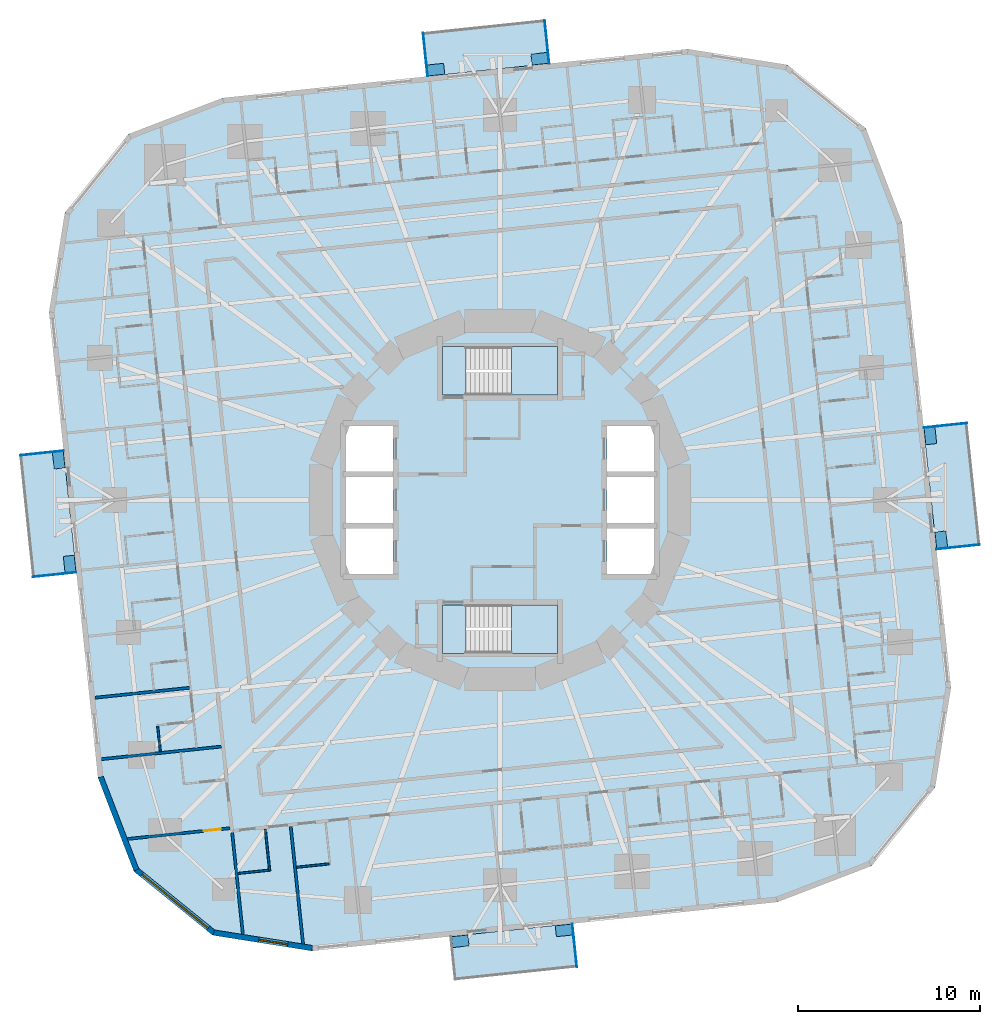
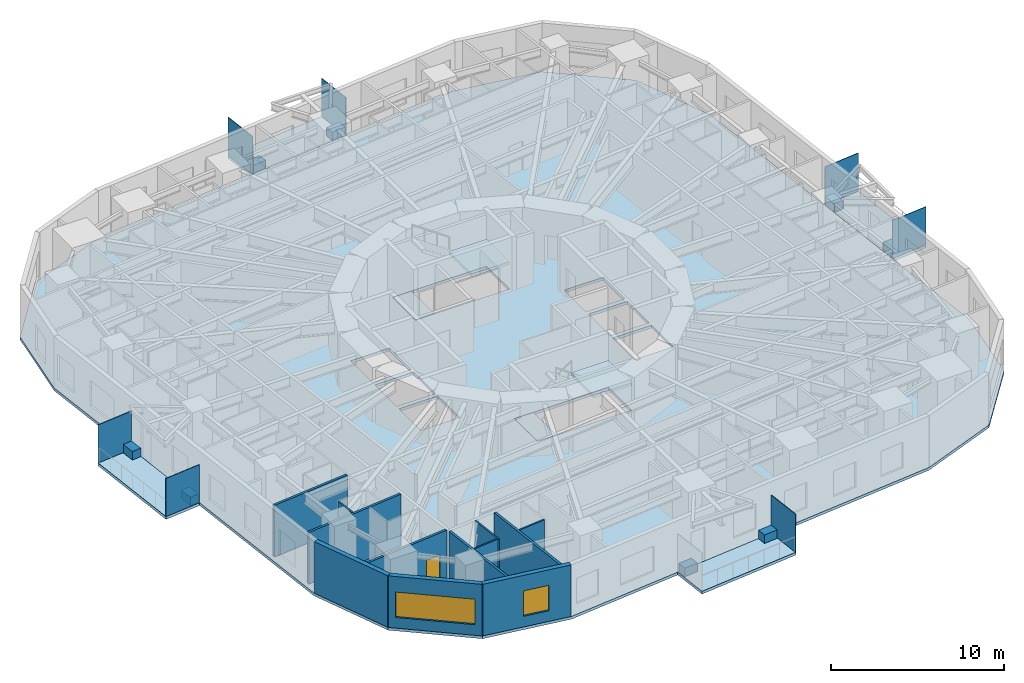
# One storey, part 4 of 15: 15 plates, 12 walls, 9 slabs, 2 windows, 1 door, 3 openings, 2 elements without a shape of their own.
"""IFC4 building model written with IfcOpenShell, lengths in metres."""

import ifcopenshell
import ifcopenshell.guid

model = None  # the IFC model being written
_history = None  # IfcOwnerHistory: only IFC2X3 demands one
_inside = {}  # id of a spatial element -> (the spatial element, [elements in it])
_under = {}  # id of a project, library or spatial element -> (it, [spatial elements below it])
_declared = {}  # id of a project -> (the project, [libraries it declares])
_typed = {}  # id of a type object -> (the type object, [elements of that type])
_made_of = {}  # id of a material, layer set ... -> (it, [elements and type objects made of it])


def new_model(schema):
    """Start an empty IFC model of exactly this schema.

    Asked for "IFC4X3", IfcOpenShell would pick the latest addendum, in which some entities
    have other attributes; the version numbers below select the first issue.
    IFC2X3 requires an IfcOwnerHistory on every rooted entity: one is made here for all.
    """
    global model, _history
    if schema == "IFC4X3":
        model = ifcopenshell.file(schema_version=(4, 3, 0, 0))
    else:
        model = ifcopenshell.file(schema=schema)
    _inside.clear()
    _under.clear()
    _declared.clear()
    _typed.clear()
    _made_of.clear()
    _history = None
    if model.schema == "IFC2X3":
        org = make("IfcOrganization", Name="unknown")
        user = make(
            "IfcPersonAndOrganization",
            ThePerson=make("IfcPerson", FamilyName="unknown"),
            TheOrganization=org,
        )
        app = make(
            "IfcApplication",
            ApplicationDeveloper=org,
            Version="unknown",
            ApplicationFullName="unknown",
            ApplicationIdentifier="unknown",
        )
        _history = make(
            "IfcOwnerHistory",
            OwningUser=user,
            OwningApplication=app,
            ChangeAction="ADDED",
            CreationDate=0,
        )
    return model


def make(cls, **values):
    """One entity of the class cls with the attributes given. An attribute that is None is left unset."""
    return model.create_entity(
        cls, **{name: value for name, value in values.items() if value is not None}
    )


def rooted(cls, **values):
    """An entity with a GlobalId (a new one), such as an element, a storey or a relation."""
    return make(cls, GlobalId=ifcopenshell.guid.new(), OwnerHistory=_history, **values)


def si_unit(unit_type, name, prefix=None):
    """IfcSIUnit, for example si_unit("LENGTHUNIT", "METRE", prefix="MILLI")."""
    return make("IfcSIUnit", UnitType=unit_type, Prefix=prefix, Name=name)


def assignment(units):
    """IfcUnitAssignment: the units of a project."""
    return None if units is None else make("IfcUnitAssignment", Units=units)


def point(xyz):
    """IfcCartesianPoint."""
    return None if xyz is None else make("IfcCartesianPoint", Coordinates=xyz)


def direction(xyz):
    """IfcDirection."""
    return None if xyz is None else make("IfcDirection", DirectionRatios=xyz)


def frame(location, z_axis=None, x_axis=None):
    """IfcAxis2Placement3D, a coordinate frame: its origin and axes. An axis left out is left unset."""
    return make(
        "IfcAxis2Placement3D",
        Location=point(location),
        Axis=direction(z_axis),
        RefDirection=direction(x_axis),
    )


def frame_2d(location, x_axis=None):
    """IfcAxis2Placement2D, a coordinate frame in the plane: its origin and x axis."""
    return make(
        "IfcAxis2Placement2D", Location=point(location), RefDirection=direction(x_axis)
    )


def origin():
    """The frame at (0, 0, 0) with its axes left unset."""
    return frame((0.0, 0.0, 0.0))


def origin_2d():
    """The frame at (0, 0) in the plane with its x axis left unset."""
    return frame_2d((0.0, 0.0))


def place(relative_to, where):
    """IfcLocalPlacement: puts the frame where relative to a parent placement (None: the world)."""
    return make(
        "IfcLocalPlacement", PlacementRelTo=relative_to, RelativePlacement=where
    )


def context(
    kind, dimensions, precision=None, world=None, true_north=None, identifier=None
):
    """IfcGeometricRepresentationContext, for example the 3D "Model" context."""
    return make(
        "IfcGeometricRepresentationContext",
        ContextIdentifier=identifier,
        ContextType=kind,
        CoordinateSpaceDimension=dimensions,
        Precision=precision,
        WorldCoordinateSystem=world,
        TrueNorth=true_north,
    )


def subcontext(parent, identifier, kind, view, scale=None):
    """IfcGeometricRepresentationSubContext, for example "Body" below "Model"."""
    return make(
        "IfcGeometricRepresentationSubContext",
        ContextIdentifier=identifier,
        ContextType=kind,
        ParentContext=parent,
        TargetScale=scale,
        TargetView=view,
    )


def project(units=None, contexts=None):
    """IfcProject with its units and contexts."""
    return rooted(
        "IfcProject",
        Name="project",
        RepresentationContexts=contexts,
        UnitsInContext=assignment(units),
    )


def spatial(cls, under=None, at=None, **own):
    """A site, building, storey or space (cls), placed at a placement, below another one or the project."""
    s = rooted(cls, ObjectPlacement=at, **own)
    if under is not None:
        _under.setdefault(under.id(), (under, []))[1].append(s)
    return s


def polyline(points):
    """IfcPolyline through the points."""
    return make("IfcPolyline", Points=[point(p) for p in points])


def profile(cls, at=None, kind="AREA", **sizes):
    """A parametric profile (cls). Its sizes go by their IFC names, for example OverallWidth=200.0."""
    return make(cls, ProfileType=kind, Position=at, **sizes)


def rectangle(**sizes):
    """IfcRectangleProfileDef."""
    return profile("IfcRectangleProfileDef", **sizes)


def outline(outer, holes=None, kind="AREA"):
    """IfcArbitraryClosedProfileDef: a profile drawn as a closed curve; with holes, ...WithVoids."""
    if holes is None:
        return make("IfcArbitraryClosedProfileDef", ProfileType=kind, OuterCurve=outer)
    return make(
        "IfcArbitraryProfileDefWithVoids",
        ProfileType=kind,
        OuterCurve=outer,
        InnerCurves=holes,
    )


def extrude(swept, where, along, depth):
    """IfcExtrudedAreaSolid: the profile swept, set in the frame where, extruded along a direction by depth."""
    return make(
        "IfcExtrudedAreaSolid",
        SweptArea=swept,
        Position=where,
        ExtrudedDirection=direction(along),
        Depth=depth,
    )


def shape(context_of_items, identifier, shape_type, items):
    """IfcShapeRepresentation: the items that make up one representation, for example the "Body"."""
    return make(
        "IfcShapeRepresentation",
        ContextOfItems=context_of_items,
        RepresentationIdentifier=identifier,
        RepresentationType=shape_type,
        Items=items,
    )


def material(Name=None, Category=None):
    """IfcMaterial."""
    return make("IfcMaterial", Name=Name, Category=Category)


def layer(
    of_material, thickness, ventilated=None, Name=None, Category=None, Priority=None
):
    """IfcMaterialLayer: one layer of a wall or slab, of a material (None: an air gap)."""
    return make(
        "IfcMaterialLayer",
        Material=of_material,
        LayerThickness=thickness,
        IsVentilated=ventilated,
        Name=Name,
        Category=Category,
        Priority=Priority,
    )


def layer_set(layers, Name=None):
    """IfcMaterialLayerSet."""
    return make("IfcMaterialLayerSet", MaterialLayers=layers, LayerSetName=Name)


def made_of(thing, what):
    """Note that an element or type object is made of a material, layer set ...; save() writes the relation."""
    if what is not None:
        _made_of.setdefault(what.id(), (what, []))[1].append(thing)
    return thing


def type_object(cls, material=None, **own):
    """A type object (cls), such as IfcWallType, which elements share."""
    return made_of(rooted(cls, **own), material)


def element(
    cls,
    number,
    at=None,
    inside=None,
    cuts=None,
    type_object=None,
    material=None,
    context=None,
    identifier="Body",
    shape_type=None,
    held_by="IfcProductDefinitionShape",
    body=None,
    shapes=None,
    **own,
):
    """One element of the class cls, such as IfcWall. Its Tag is "e" and its number.

    at: its placement. inside: the storey or other place that contains it. cuts: it is an
    opening in that element (IfcRelVoidsElement). A single representation is given by context,
    identifier, shape_type and body (its items); several are given by shapes. held_by: the class
    of the entity that holds the representations. save() writes the other relations.
    """
    e = rooted(cls, Tag="e%d" % number, ObjectPlacement=at, **own)
    if body is not None:
        shapes = [shape(context, identifier, shape_type, body)]
    if shapes is not None:
        e.Representation = make(held_by, Representations=shapes)
    if inside is not None:
        _inside.setdefault(inside.id(), (inside, []))[1].append(e)
    if cuts is not None:
        rooted(
            "IfcRelVoidsElement", RelatingBuildingElement=cuts, RelatedOpeningElement=e
        )
    if type_object is not None:
        _typed.setdefault(type_object.id(), (type_object, []))[1].append(e)
    return made_of(e, material)


def fill(opening, filler):
    """IfcRelFillsElement: the door or window that sits in an opening."""
    return rooted(
        "IfcRelFillsElement",
        RelatingOpeningElement=opening,
        RelatedBuildingElement=filler,
    )


def aggregate(whole, parts):
    """IfcRelAggregates: a whole, such as a stair, and the parts it consists of."""
    return rooted("IfcRelAggregates", RelatingObject=whole, RelatedObjects=parts)


def save(model, path):
    """Write the relations noted so far, then the file.

    IfcRelAggregates (storeys below a building ...), IfcRelContainedInSpatialStructure (elements
    in a storey), IfcRelDefinesByType, IfcRelAssociatesMaterial and IfcRelDeclares: one each for
    every whole, place, type object, material and project.
    """
    for whole, parts in _under.values():
        aggregate(whole, parts)
    for where, things in _inside.values():
        rooted(
            "IfcRelContainedInSpatialStructure",
            RelatedElements=things,
            RelatingStructure=where,
        )
    for kind, things in _typed.values():
        rooted("IfcRelDefinesByType", RelatedObjects=things, RelatingType=kind)
    for what, things in _made_of.values():
        rooted("IfcRelAssociatesMaterial", RelatedObjects=things, RelatingMaterial=what)
    for by, libraries in _declared.values():
        rooted("IfcRelDeclares", RelatingContext=by, RelatedDefinitions=libraries)
    model.write(path)


model = new_model("IFC4")

# Units and contexts
model_context = context("Model", 3, precision=1e-05, world=origin(), true_north=direction((0.0, 1.0)))
body_context = subcontext(model_context, "Body", "Model", "MODEL_VIEW")
ifc_project = project(units=[si_unit("LENGTHUNIT", "METRE"), si_unit("AREAUNIT", "SQUARE_METRE"), si_unit("VOLUMEUNIT", "CUBIC_METRE"), si_unit("PLANEANGLEUNIT", "RADIAN"), si_unit("MASSUNIT", "GRAM", prefix="KILO")], contexts=[model_context])

# Site, building, storey
site_placement = place(None, origin())
site = spatial("IfcSite", under=ifc_project, at=site_placement, CompositionType="ELEMENT")
building_placement = place(site_placement, origin())
building = spatial("IfcBuilding", under=site, at=building_placement, Name="Nakasero Lantern House", CompositionType="ELEMENT")
storey_placement = place(building_placement, frame((0.0, 0.0, 72.050048828125)))
storey = spatial("IfcBuildingStorey", under=building, at=storey_placement, Name="L17", CompositionType="ELEMENT", Elevation=72.050048828125)

# Plates
ifc_material_1 = material(Name="Aluminium 6063-T6", Category="aluminium")
ifc_layer_1 = layer(ifc_material_1, 0.60009765625)
ifc_layer_set_1 = layer_set([ifc_layer_1], Name="Balcony planter 600x900")
plate_type_1 = type_object("IfcPlateType", Name="Balcony planter 600x900", PredefinedType="USERDEFINED", material=ifc_layer_set_1)
for number, where, z_axis, x_axis, name in (
    (1, (24.1796875, -2.174560546875, 0.0), (0.0, 0.0, 1.0), (0.994521895368, 0.104528463268, 0.0), "Balcony PLANTER L17 BAL0A"),
    (2, (23.58251953125, 3.507568359375, 0.0), (0.0, 0.0, 1.0), (0.994521895368, 0.104528463268, 0.0), "Balcony PLANTER L17 BAL0B"),
    (3, (2.174560546875, 24.1796875, 0.0), (0.0, 0.0, 1.0), (-0.104528463268, 0.994521895368, 0.0), "Balcony PLANTER L17 BAL1A"),
    (4, (-3.507568359375, 23.58251953125, 0.0), (0.0, 0.0, 1.0), (-0.104528463268, 0.994521895368, 0.0), "Balcony PLANTER L17 BAL1B"),
    (5, (-24.1796875, 2.174560546875, 0.0), (0.0, 0.0, 1.0), (-0.994521895368, -0.104528463268, 0.0), "Balcony PLANTER L17 BAL2A"),
    (6, (-23.58251953125, -3.507568359375, 0.0), (0.0, 0.0, 1.0), (-0.994521895368, -0.104528463268, 0.0), "Balcony PLANTER L17 BAL2B"),
    (7, (-2.174560546875, -24.1796875, 0.0), (0.0, 0.0, 1.0), (0.104528463268, -0.994521895368, 0.0), "Balcony PLANTER L17 BAL3A"),
    (8, (3.507568359375, -23.58251953125, 0.0), (0.0, 0.0, 1.0), (0.104528463268, -0.994521895368, 0.0), "Balcony PLANTER L17 BAL3B"),
):
    element("IfcPlate", number, at=place(storey_placement, frame(where, z_axis=z_axis, x_axis=x_axis)), inside=storey, type_object=plate_type_1, Name=name, ObjectType="PLANTER", PredefinedType="USERDEFINED", context=body_context, shape_type="SweptSolid", body=[
        extrude(rectangle(XDim=0.60009765625, YDim=0.89990234375, at=origin_2d()), origin(), (0.0, 0.0, 1.0), 0.60009765625),
    ])
ifc_material_2 = material(Name="Aluminium 6063-T6", Category="aluminium")
ifc_layer_2 = layer(ifc_material_2, 0.0400390625)
ifc_layer_set_2 = layer_set([ifc_layer_2], Name="Balcony screen 2400x2700")
plate_type_2 = type_object("IfcPlateType", Name="Balcony screen 2400x2700", PredefinedType="SHEET", material=ifc_layer_set_2)
for number, where, z_axis, x_axis, name in (
    (9, (25.106201171875, -2.56982421875, 0.0), (0.0, 0.0, 1.0), (0.994521895368, 0.104528463268, 0.0), "Balcony SCREEN L17 BAL0A"),
    (10, (24.406494140625, 4.0869140625, 0.0), (0.0, 0.0, 1.0), (0.994521895368, 0.104528463268, 0.0), "Balcony SCREEN L17 BAL0B"),
    (11, (2.56982421875, 25.106201171875, 0.0), (0.0, 0.0, 1.0), (-0.104528463268, 0.994521895368, 0.0), "Balcony SCREEN L17 BAL1A"),
    (12, (-4.0869140625, 24.406494140625, 0.0), (0.0, 0.0, 1.0), (-0.104528463268, 0.994521895368, 0.0), "Balcony SCREEN L17 BAL1B"),
    (13, (-25.106201171875, 2.56982421875, 0.0), (0.0, 0.0, 1.0), (-0.994521895368, -0.104528463268, 0.0), "Balcony SCREEN L17 BAL2A"),
    (14, (-24.406494140625, -4.0869140625, 0.0), (0.0, 0.0, 1.0), (-0.994521895368, -0.104528463268, 0.0), "Balcony SCREEN L17 BAL2B"),
    (15, (4.0869140625, -24.406494140625, 0.0), (0.0, 0.0, 1.0), (0.104528463268, -0.994521895368, 0.0), "Balcony SCREEN L17 BAL3B"),
):
    element("IfcPlate", number, at=place(storey_placement, frame(where, z_axis=z_axis, x_axis=x_axis)), inside=storey, type_object=plate_type_2, Name=name, PredefinedType="SHEET", context=body_context, shape_type="SweptSolid", body=[
        extrude(rectangle(XDim=2.39990234375, YDim=0.0400390625, at=origin_2d()), origin(), (0.0, 0.0, 1.0), 2.699951171875),
    ])

# Slabs
ifc_material_3 = material(Name="Concrete C35/45", Category="concrete")
ifc_layer_3 = layer(ifc_material_3, 0.199951171875)
ifc_layer_set_3 = layer_set([ifc_layer_3], Name="Balcony slab 200")
slab_type_1 = type_object("IfcSlabType", Name="Balcony slab 200", PredefinedType="USERDEFINED", material=ifc_layer_set_3)
slab_1_placement = place(storey_placement, frame((0.0, 0.0, -0.199951171875)))
element("IfcSlab", 16, at=slab_1_placement, inside=storey, type_object=slab_type_1, Name="Balcony L17 BAL0", ObjectType="BALCONY", PredefinedType="USERDEFINED", context=body_context, shape_type="SweptSolid", body=[
    extrude(outline(polyline([(23.914794921875, -2.715087890625), (26.3017578125, -2.464111328125), (25.597900390625, 4.232177734375), (23.2109375, 3.9814453125), (23.914794921875, -2.715087890625)])), origin(), (0.0, 0.0, 1.0), 0.199951171875),
])
slab_2_placement = place(storey_placement, frame((0.0, 0.0, -0.199951171875)))
element("IfcSlab", 17, at=slab_2_placement, inside=storey, type_object=slab_type_1, Name="Balcony L17 BAL1", ObjectType="BALCONY", PredefinedType="USERDEFINED", context=body_context, shape_type="SweptSolid", body=[
    extrude(outline(polyline([(2.715087890625, 23.914794921875), (2.464111328125, 26.3017578125), (-4.232177734375, 25.597900390625), (-3.9814453125, 23.2109375), (2.715087890625, 23.914794921875)])), origin(), (0.0, 0.0, 1.0), 0.199951171875),
])
slab_3_placement = place(storey_placement, frame((0.0, 0.0, -0.199951171875)))
element("IfcSlab", 18, at=slab_3_placement, inside=storey, type_object=slab_type_1, Name="Balcony L17 BAL2", ObjectType="BALCONY", PredefinedType="USERDEFINED", context=body_context, shape_type="SweptSolid", body=[
    extrude(outline(polyline([(-23.914794921875, 2.715087890625), (-26.3017578125, 2.464111328125), (-25.597900390625, -4.232177734375), (-23.2109375, -3.9814453125), (-23.914794921875, 2.715087890625)])), origin(), (0.0, 0.0, 1.0), 0.199951171875),
])
slab_4_placement = place(storey_placement, frame((0.0, 0.0, -0.199951171875)))
element("IfcSlab", 19, at=slab_4_placement, inside=storey, type_object=slab_type_1, Name="Balcony L17 BAL3", ObjectType="BALCONY", PredefinedType="USERDEFINED", context=body_context, shape_type="SweptSolid", body=[
    extrude(outline(polyline([(-2.715087890625, -23.914794921875), (-2.464111328125, -26.3017578125), (4.232177734375, -25.597900390625), (3.9814453125, -23.2109375), (-2.715087890625, -23.914794921875)])), origin(), (0.0, 0.0, 1.0), 0.199951171875),
])
ifc_material_4 = material(Name="Concrete C35/45", Category="concrete")
ifc_layer_4 = layer(ifc_material_4, 0.199951171875)
ifc_layer_set_4 = layer_set([ifc_layer_4], Name="Composite floor slab 200")
slab_type_2 = type_object("IfcSlabType", Name="Composite floor slab 200", PredefinedType="FLOOR", material=ifc_layer_set_4)
slab_5_placement = place(storey_placement, frame((0.0, 0.0, -0.199951171875)))
element("IfcSlab", 20, at=slab_5_placement, inside=storey, type_object=slab_type_2, Name="Floor slab L17", PredefinedType="FLOOR", context=body_context, shape_type="SweptSolid", body=[
    extrude(outline(polyline([(22.033203125, 15.186279296875), (20.04833984375, 20.357177734375), (15.743896484375, 23.8427734375), (10.2734375, 24.709228515625), (-15.186279296875, 22.033203125), (-20.357177734375, 20.04833984375), (-23.8427734375, 15.743896484375), (-24.709228515625, 10.2734375), (-22.033203125, -15.186279296875), (-20.04833984375, -20.357177734375), (-15.743896484375, -23.8427734375), (-10.2734375, -24.709228515625), (15.186279296875, -22.033203125), (20.357177734375, -20.04833984375), (23.8427734375, -15.743896484375), (24.709228515625, -10.2734375), (22.033203125, 15.186279296875)]), holes=[polyline([(-8.449951171875, -4.050048828125), (-5.85009765625, -4.050048828125), (-5.85009765625, -1.550048828125), (-8.449951171875, -1.550048828125), (-8.449951171875, -4.050048828125)]), polyline([(-8.449951171875, -1.25), (-5.85009765625, -1.25), (-5.85009765625, 1.25), (-8.449951171875, 1.25), (-8.449951171875, -1.25)]), polyline([(-8.449951171875, 1.550048828125), (-5.85009765625, 1.550048828125), (-5.85009765625, 4.050048828125), (-8.449951171875, 4.050048828125), (-8.449951171875, 1.550048828125)]), polyline([(5.85009765625, -4.050048828125), (8.449951171875, -4.050048828125), (8.449951171875, -1.550048828125), (5.85009765625, -1.550048828125), (5.85009765625, -4.050048828125)]), polyline([(5.85009765625, -1.25), (8.449951171875, -1.25), (8.449951171875, 1.25), (5.85009765625, 1.25), (5.85009765625, -1.25)]), polyline([(5.85009765625, 1.550048828125), (8.449951171875, 1.550048828125), (8.449951171875, 4.050048828125), (5.85009765625, 4.050048828125), (5.85009765625, 1.550048828125)]), polyline([(-3.14990234375, 5.75), (3.14990234375, 5.75), (3.14990234375, 8.39990234375), (-3.14990234375, 8.39990234375), (-3.14990234375, 5.75)]), polyline([(-3.14990234375, -8.39990234375), (3.14990234375, -8.39990234375), (3.14990234375, -5.75), (-3.14990234375, -5.75), (-3.14990234375, -8.39990234375)])]), origin(), (0.0, 0.0, 1.0), 0.199951171875),
])

# Stair, slabs
ifc_material_5 = material(Name="Concrete C40/50", Category="concrete")
stair_type_1 = type_object("IfcStairType", Name="Escape stair ST1 22 risers", PredefinedType="HALF_TURN_STAIR", material=ifc_material_5)
stair_1_placement = place(storey_placement, origin())
stair_1 = element("IfcStair", 21, at=stair_1_placement, inside=storey, type_object=stair_type_1, Name="Escape stair ST1 L17", PredefinedType="HALF_TURN_STAIR")
ifc_material_6 = material(Name="Concrete C40/50", Category="concrete")
ifc_layer_5 = layer(ifc_material_6, 0.199951171875)
ifc_layer_set_5 = layer_set([ifc_layer_5], Name="Stair landing 200")
slab_type_3 = type_object("IfcSlabType", Name="Stair landing 200", PredefinedType="LANDING", material=ifc_layer_set_5)
slab_6_placement = place(storey_placement, frame((0.0, 0.0, -0.199951171875)))
slab_6 = element("IfcSlab", 22, at=slab_6_placement, type_object=slab_type_3, Name="ST1 landing 1", PredefinedType="LANDING", context=body_context, shape_type="SweptSolid", body=[
    extrude(outline(polyline([(-3.14990234375, 5.75), (-1.875, 5.75), (-1.875, 8.39990234375), (-3.14990234375, 8.39990234375), (-3.14990234375, 5.75)])), origin(), (0.0, 0.0, 1.0), 0.199951171875),
])
slab_7_placement = place(storey_placement, frame((0.0, 0.0, 1.724853515625)))
slab_7 = element("IfcSlab", 23, at=slab_7_placement, type_object=slab_type_3, Name="ST1 landing 2", PredefinedType="LANDING", context=body_context, shape_type="SweptSolid", body=[
    extrude(outline(polyline([(0.625, 5.75), (3.14990234375, 5.75), (3.14990234375, 8.39990234375), (0.625, 8.39990234375), (0.625, 5.75)])), origin(), (0.0, 0.0, 1.0), 0.2001953125),
])
aggregate(stair_1, [slab_6, slab_7])

ifc_material_7 = material(Name="Concrete C40/50", Category="concrete")
stair_type_2 = type_object("IfcStairType", Name="Escape stair ST2 22 risers", PredefinedType="HALF_TURN_STAIR", material=ifc_material_7)
stair_2_placement = place(storey_placement, origin())
stair_2 = element("IfcStair", 24, at=stair_2_placement, inside=storey, type_object=stair_type_2, Name="Escape stair ST2 L17", PredefinedType="HALF_TURN_STAIR")
slab_8_placement = place(storey_placement, frame((0.0, 0.0, -0.199951171875)))
slab_8 = element("IfcSlab", 25, at=slab_8_placement, type_object=slab_type_3, Name="ST2 landing 1", PredefinedType="LANDING", context=body_context, shape_type="SweptSolid", body=[
    extrude(outline(polyline([(-3.14990234375, -8.39990234375), (-1.875, -8.39990234375), (-1.875, -5.75), (-3.14990234375, -5.75), (-3.14990234375, -8.39990234375)])), origin(), (0.0, 0.0, 1.0), 0.199951171875),
])
slab_9_placement = place(storey_placement, frame((0.0, 0.0, 1.724853515625)))
slab_9 = element("IfcSlab", 26, at=slab_9_placement, type_object=slab_type_3, Name="ST2 landing 2", PredefinedType="LANDING", context=body_context, shape_type="SweptSolid", body=[
    extrude(outline(polyline([(0.625, -8.39990234375), (3.14990234375, -8.39990234375), (3.14990234375, -5.75), (0.625, -5.75), (0.625, -8.39990234375)])), origin(), (0.0, 0.0, 1.0), 0.2001953125),
])
aggregate(stair_2, [slab_8, slab_9])

# Walls
ifc_material_8 = material(Name="Blockwork", Category="masonry")
ifc_layer_6 = layer(ifc_material_8, 0.10009765625)
ifc_layer_set_6 = layer_set([ifc_layer_6], Name="En-suite wall 100")
wall_type_1 = type_object("IfcWallType", Name="En-suite wall 100", PredefinedType="PARTITIONING", material=ifc_layer_set_6)
wall_1_placement = place(storey_placement, frame((-18.757080078125, -12.394775390625, 0.0), z_axis=(0.0, 0.0, 1.0), x_axis=(0.104457839748, -0.994529315664, 0.0)))
element("IfcWall", 27, at=wall_1_placement, inside=storey, type_object=wall_type_1, Name="En-suite wall L17 EE2-07", PredefinedType="PARTITIONING", context=body_context, shape_type="SweptSolid", body=[
    extrude(rectangle(XDim=1.39990234375, YDim=0.10009765625, at=frame_2d((0.699951171875, 0.0))), origin(), (0.0, 0.0, 1.0), 3.64990234375),
])
wall_2_placement = place(storey_placement, frame((-12.859375, -18.04296875, 0.0), z_axis=(0.0, 0.0, 1.0), x_axis=(0.104452703326, -0.994529855142, 0.0)))
element("IfcWall", 28, at=wall_2_placement, inside=storey, type_object=wall_type_1, Name="En-suite wall L17 ES3-00", PredefinedType="PARTITIONING", context=body_context, shape_type="SweptSolid", body=[
    extrude(rectangle(XDim=2.300048828125, YDim=0.10009765625, at=frame_2d((1.14990234375, 0.0))), origin(), (0.0, 0.0, 1.0), 3.64990234375),
])
wall_3_placement = place(storey_placement, frame((-14.36474609375, -20.463623046875, 0.0), z_axis=(0.0, 0.0, 1.0), x_axis=(0.994519608382, 0.104550220202, 0.0)))
element("IfcWall", 29, at=wall_3_placement, inside=storey, type_object=wall_type_1, Name="En-suite wall L17 EE3-00", PredefinedType="PARTITIONING", context=body_context, shape_type="SweptSolid", body=[
    extrude(rectangle(XDim=1.699951171875, YDim=0.10009765625, at=frame_2d((0.85009765625, 0.0))), origin(), (0.0, 0.0, 1.0), 3.64990234375),
])
wall_4_placement = place(storey_placement, frame((-11.156982421875, -20.12646484375, 0.0), z_axis=(0.0, 0.0, 1.0), x_axis=(0.994516595821, 0.104578872801, 0.0)))
element("IfcWall", 30, at=wall_4_placement, inside=storey, type_object=wall_type_1, Name="En-suite wall L17 EE3-01", PredefinedType="PARTITIONING", context=body_context, shape_type="SweptSolid", body=[
    extrude(rectangle(XDim=1.7998046875, YDim=0.10009765625, at=frame_2d((0.89990234375, 0.0))), origin(), (0.0, 0.0, 1.0), 3.64990234375),
])
ifc_material_9 = material(Name="Aluminium rainscreen on blockwork", Category="masonry")
ifc_layer_7 = layer(ifc_material_9, 0.300048828125)
ifc_layer_set_7 = layer_set([ifc_layer_7], Name="Facade wall 300")
wall_type_2 = type_object("IfcWallType", Name="Facade wall 300", PredefinedType="SOLIDWALL", material=ifc_layer_set_7)
wall_5_placement = place(storey_placement, frame((-21.884033203125, -15.170654296875, 0.0), z_axis=(0.0, 0.0, 1.0), x_axis=(0.358358884793, -0.933583906079, 0.0)))
element("IfcWall", 31, at=wall_5_placement, inside=storey, type_object=wall_type_2, Name="Facade wall L17 FW2C1", PredefinedType="SOLIDWALL", context=body_context, shape_type="SweptSolid", body=[
    extrude(rectangle(XDim=5.461181640625, YDim=0.300048828125, at=frame_2d((2.73046875, 0.0))), origin(), (0.0, 0.0, 1.0), 3.64990234375),
])

# Wall, opening, window
wall_6_placement = place(storey_placement, frame((-19.927001953125, -20.26904296875, 0.0), z_axis=(0.0, 0.0, 1.0), x_axis=(0.777134500863, -0.629334543442, 0.0)))
wall_6 = element("IfcWall", 32, at=wall_6_placement, inside=storey, type_object=wall_type_2, Name="Facade wall L17 FW2C2", PredefinedType="SOLIDWALL", context=body_context, shape_type="SweptSolid", body=[
    extrude(rectangle(XDim=5.4609375, YDim=0.300048828125, at=frame_2d((2.73046875, 0.0))), origin(), (0.0, 0.0, 1.0), 3.64990234375),
])
opening_1_placement = place(wall_6_placement, frame((0.39990234375, 0.0, 0.75)))
opening_1 = element("IfcOpeningElement", 33, at=opening_1_placement, cuts=wall_6, Name="Opening W246", PredefinedType="OPENING", context=body_context, shape_type="SweptSolid", body=[
    extrude(rectangle(XDim=4.660888671875, YDim=1.800048828125, at=frame_2d((2.33056640625, 0.89990234375))), frame((0.0, 0.169921875, 0.0), z_axis=(0.0, -1.0, 0.0), x_axis=(1.0, 0.0, 0.0)), (0.0, 0.0, 1.0), 0.340087890625),
])
ifc_material_10 = material(Name="Aluminium 6063-T6 and glass", Category="aluminium")
window_type_1 = type_object("IfcWindowType", Name="Corner window 4661x1800", PartitioningType="SINGLE_PANEL", PredefinedType="WINDOW", material=ifc_material_10)
window_1_placement = place(opening_1_placement, origin())
window_1 = element("IfcWindow", 34, at=window_1_placement, inside=storey, type_object=window_type_1, Name="Window L17 WC2", OverallHeight=1.800048828125, OverallWidth=4.660888671875, PartitioningType="SINGLE_PANEL", PredefinedType="WINDOW", context=body_context, shape_type="SweptSolid", body=[
    extrude(rectangle(XDim=4.660888671875, YDim=1.800048828125, at=frame_2d((2.33056640625, 0.89990234375))), frame((0.0, 0.030029296875, 0.0), z_axis=(0.0, -1.0, 0.0), x_axis=(1.0, 0.0, 0.0)), (0.0, 0.0, 1.0), 0.06005859375),
])
fill(opening_1, window_1)

wall_7_placement = place(storey_placement, frame((-15.68310546875, -23.705810546875, 0.0), z_axis=(0.0, 0.0, 1.0), x_axis=(0.987690729142, -0.156419383601, 0.0)))
wall_7 = element("IfcWall", 35, at=wall_7_placement, inside=storey, type_object=wall_type_2, Name="Facade wall L17 FW2C3", PredefinedType="SOLIDWALL", context=body_context, shape_type="SweptSolid", body=[
    extrude(rectangle(XDim=5.461181640625, YDim=0.300048828125, at=frame_2d((2.73046875, 0.0))), origin(), (0.0, 0.0, 1.0), 3.64990234375),
])
opening_2_placement = place(wall_7_placement, frame((2.5, 0.0, 0.75)))
opening_2 = element("IfcOpeningElement", 36, at=opening_2_placement, cuts=wall_7, Name="Opening W01", PredefinedType="OPENING", context=body_context, shape_type="SweptSolid", body=[
    extrude(rectangle(XDim=1.60009765625, YDim=1.800048828125, at=frame_2d((0.800048828125, 0.89990234375))), frame((0.0, 0.169921875, 0.0), z_axis=(0.0, -1.0, 0.0), x_axis=(1.0, 0.0, 0.0)), (0.0, 0.0, 1.0), 0.340087890625),
])
ifc_material_11 = material(Name="Aluminium 6063-T6 and glass", Category="aluminium")
window_type_2 = type_object("IfcWindowType", Name="Bedroom window 1600x1800", PartitioningType="SINGLE_PANEL", PredefinedType="WINDOW", material=ifc_material_11)
window_2_placement = place(opening_2_placement, origin())
window_2 = element("IfcWindow", 37, at=window_2_placement, inside=storey, type_object=window_type_2, Name="Window L17 WN3-00", OverallHeight=1.800048828125, OverallWidth=1.60009765625, PartitioningType="SINGLE_PANEL", PredefinedType="WINDOW", context=body_context, shape_type="SweptSolid", body=[
    extrude(rectangle(XDim=1.60009765625, YDim=1.800048828125, at=frame_2d((0.800048828125, 0.89990234375))), frame((0.0, 0.030029296875, 0.0), z_axis=(0.0, -1.0, 0.0), x_axis=(1.0, 0.0, 0.0)), (0.0, 0.0, 1.0), 0.06005859375),
])
fill(opening_2, window_2)

# Walls
ifc_material_12 = material(Name="Blockwork", Category="masonry")
ifc_layer_8 = layer(ifc_material_12, 0.14990234375)
ifc_layer_set_8 = layer_set([ifc_layer_8], Name="Party wall 150")
wall_type_3 = type_object("IfcWallType", Name="Party wall 150", PredefinedType="PARTITIONING", material=ifc_layer_set_8)
wall_8_placement = place(storey_placement, frame((-17.017578125, -10.290771484375, 0.0), z_axis=(0.0, 0.0, 1.0), x_axis=(-0.994523446942, -0.104513699976, 0.0)))
element("IfcWall", 38, at=wall_8_placement, inside=storey, type_object=wall_type_3, Name="Party wall L17 PW2-07", PredefinedType="PARTITIONING", context=body_context, shape_type="SweptSolid", body=[
    extrude(rectangle(XDim=5.199951171875, YDim=0.14990234375, at=frame_2d((2.60009765625, 0.0))), origin(), (0.0, 0.0, 1.0), 3.64990234375),
])
wall_9_placement = place(storey_placement, frame((-15.271240234375, -13.511474609375, 0.0), z_axis=(0.0, 0.0, 1.0), x_axis=(-0.994521251134, -0.104534592565, 0.0)))
element("IfcWall", 39, at=wall_9_placement, inside=storey, type_object=wall_type_3, Name="Party wall L17 PW2-08", PredefinedType="PARTITIONING", context=body_context, shape_type="SweptSolid", body=[
    extrude(rectangle(XDim=6.60009765625, YDim=0.14990234375, at=frame_2d((3.300048828125, 0.0))), origin(), (0.0, 0.0, 1.0), 3.64990234375),
])

# Wall, opening, door
wall_10_placement = place(storey_placement, frame((-14.801025390625, -17.9853515625, 0.0), z_axis=(0.0, 0.0, 1.0), x_axis=(-0.994522751177, -0.104520320471, 0.0)))
wall_10 = element("IfcWall", 40, at=wall_10_placement, inside=storey, type_object=wall_type_3, Name="Party wall L17 PC2", PredefinedType="PARTITIONING", context=body_context, shape_type="SweptSolid", body=[
    extrude(rectangle(XDim=5.64111328125, YDim=0.14990234375, at=frame_2d((2.820556640625, 0.0))), origin(), (0.0, 0.0, 1.0), 3.64990234375),
])
opening_3_placement = place(wall_10_placement, frame((0.5, 0.0, 0.0)))
opening_3 = element("IfcOpeningElement", 41, at=opening_3_placement, cuts=wall_10, Name="Opening D01", PredefinedType="OPENING", context=body_context, shape_type="SweptSolid", body=[
    extrude(rectangle(XDim=0.949951171875, YDim=2.10009765625, at=frame_2d((0.47509765625, 1.050048828125))), frame((0.0, 0.094970703125, 0.0), z_axis=(0.0, -1.0, 0.0), x_axis=(1.0, 0.0, 0.0)), (0.0, 0.0, 1.0), 0.18994140625),
])
ifc_material_13 = material(Name="Timber C24", Category="wood")
door_type = type_object("IfcDoorType", Name="Bedroom door FD30S 950", OperationType="SINGLE_SWING_LEFT", PredefinedType="DOOR", material=ifc_material_13)
door_placement = place(opening_3_placement, origin())
door = element("IfcDoor", 42, at=door_placement, inside=storey, type_object=door_type, Name="Door L17 DC2", OperationType="SINGLE_SWING_LEFT", OverallHeight=2.10009765625, OverallWidth=0.949951171875, PredefinedType="DOOR", context=body_context, shape_type="SweptSolid", body=[
    extrude(rectangle(XDim=0.949951171875, YDim=2.10009765625, at=frame_2d((0.47509765625, 1.050048828125))), frame((0.0, 0.02490234375, 0.0), z_axis=(0.0, -1.0, 0.0), x_axis=(1.0, 0.0, 0.0)), (0.0, 0.0, 1.0), 0.050048828125),
])
fill(opening_3, door)

# Walls
wall_11_placement = place(storey_placement, frame((-14.674560546875, -18.23388671875, 0.0), z_axis=(0.0, 0.0, 1.0), x_axis=(0.104541754786, -0.994520498284, 0.0)))
element("IfcWall", 43, at=wall_11_placement, inside=storey, type_object=wall_type_3, Name="Party wall L17 PW3-00", PredefinedType="PARTITIONING", context=body_context, shape_type="SweptSolid", body=[
    extrude(rectangle(XDim=5.597900390625, YDim=0.14990234375, at=frame_2d((2.798828125, 0.0))), origin(), (0.0, 0.0, 1.0), 3.64990234375),
])
wall_12_placement = place(storey_placement, frame((-11.466796875, -17.896728515625, 0.0), z_axis=(0.0, 0.0, 1.0), x_axis=(0.10453728607, -0.994520968015, 0.0)))
element("IfcWall", 44, at=wall_12_placement, inside=storey, type_object=wall_type_3, Name="Party wall L17 PW3-01", PredefinedType="PARTITIONING", context=body_context, shape_type="SweptSolid", body=[
    extrude(rectangle(XDim=6.462158203125, YDim=0.14990234375, at=frame_2d((3.23095703125, 0.0))), origin(), (0.0, 0.0, 1.0), 3.64990234375),
])

save(model, "model.ifc")
